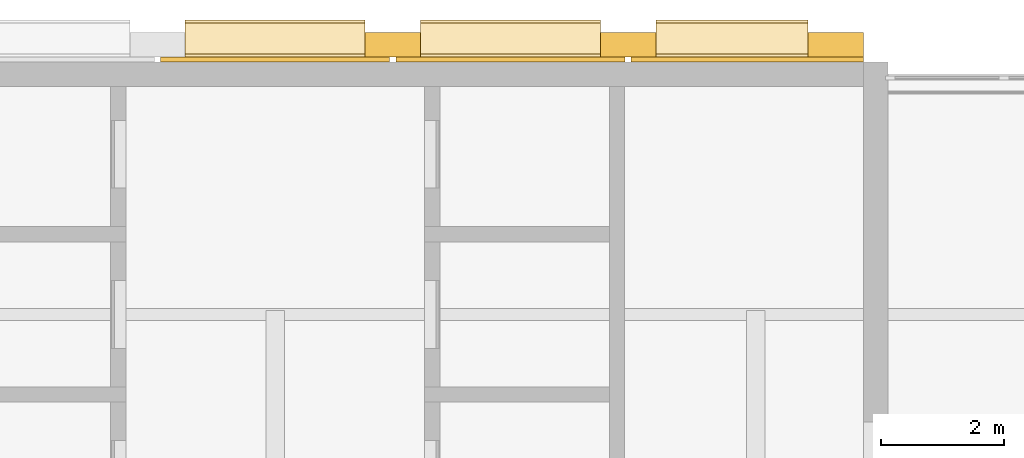
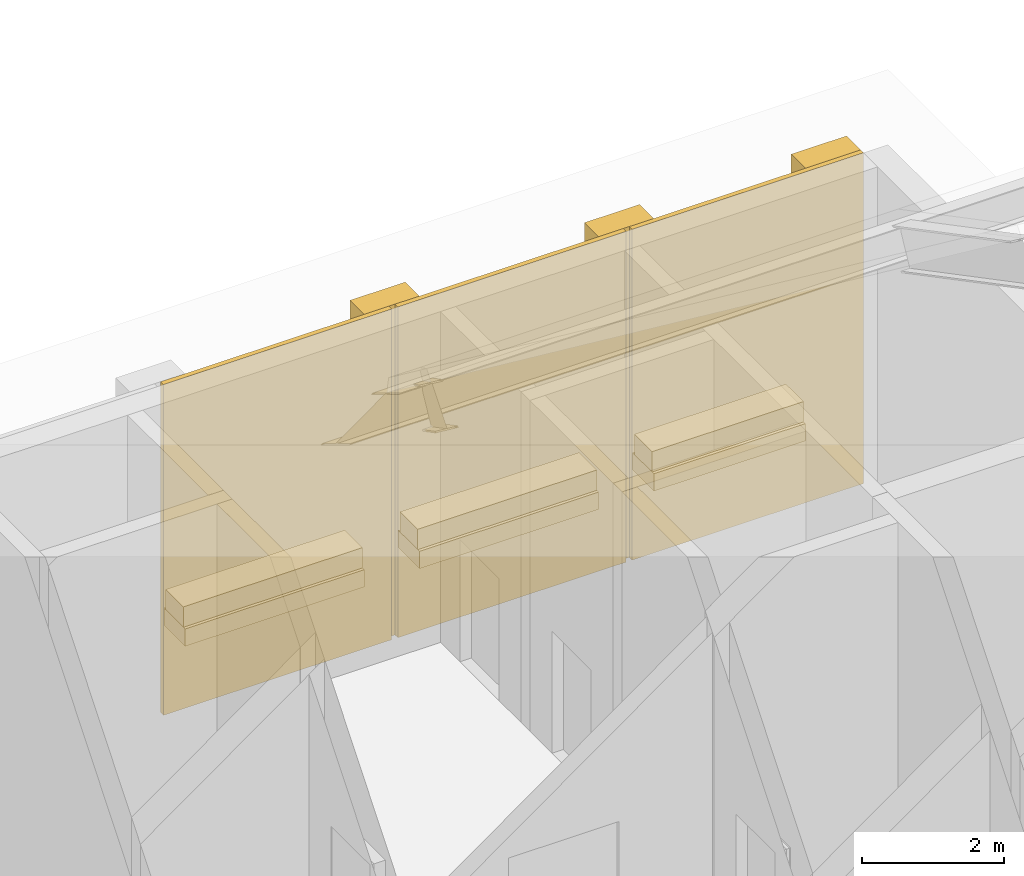
# One storey, part 19 of 19: 12 coverings.
"""IFC4 building model written with IfcOpenShell, lengths in metres."""

from ifc_helpers import new_model, si_unit, direction, frame, origin, origin_2d, place, context, subcontext, project, spatial, rectangle, extrude, material, layer, layer_set, type_object, element, save


model = new_model("IFC4")

# Units and contexts
model_context = context("Model", 3, precision=1e-05, world=origin(), true_north=direction((0.0, 1.0)))
body_context = subcontext(model_context, "Body", "Model", "MODEL_VIEW")
ifc_project = project(units=[si_unit("LENGTHUNIT", "METRE"), si_unit("AREAUNIT", "SQUARE_METRE"), si_unit("VOLUMEUNIT", "CUBIC_METRE"), si_unit("PLANEANGLEUNIT", "RADIAN"), si_unit("MASSUNIT", "GRAM", prefix="KILO")], contexts=[model_context])

# Site, building, storey
site_placement = place(None, origin())
site = spatial("IfcSite", under=ifc_project, at=site_placement, CompositionType="ELEMENT")
building_placement = place(site_placement, origin())
building = spatial("IfcBuilding", under=site, at=building_placement, Name="Ludao Terraces", CompositionType="ELEMENT")
storey_placement = place(building_placement, frame((0.0, 0.0, 266.39990234375)))
storey = spatial("IfcBuildingStorey", under=building, at=storey_placement, Name="L73", CompositionType="ELEMENT", Elevation=266.39990234375)

# Coverings
ifc_material_1 = material(Name="Granite cladding", Category="masonry")
ifc_layer_1 = layer(ifc_material_1, 0.39990234375)
ifc_layer_set_1 = layer_set([ifc_layer_1], Name="ENV Core pilaster stone 400")
covering_type_1 = type_object("IfcCoveringType", Name="ENV Core pilaster stone 400", PredefinedType="CLADDING", material=ifc_layer_set_1)
for number, where, z_axis, x_axis, name in (
    (1, (86.909912109375, 84.97998046875, 0.0), (0.0, 0.0, 1.0), (1.0, 0.0, 0.0), "CC-L73-PIL4"),
    (2, (90.72998046875, 84.97998046875, 0.0), (0.0, 0.0, 1.0), (1.0, 0.0, 0.0), "CC-L73-PIL5"),
    (3, (94.10009765625, 84.97998046875, 0.0), (0.0, 0.0, 1.0), (1.0, 0.0, 0.0), "CC-L73-PIL6"),
):
    element("IfcCovering", number, at=place(storey_placement, frame(where, z_axis=z_axis, x_axis=x_axis)), inside=storey, type_object=covering_type_1, Name=name, PredefinedType="CLADDING", context=body_context, shape_type="SweptSolid", body=[
        extrude(rectangle(XDim=0.89990234375, YDim=0.39990234375, at=origin_2d()), origin(), (0.0, 0.0, 1.0), 5.699951171875),
    ])
ifc_layer_2 = layer(ifc_material_1, 0.60009765625)
ifc_layer_set_2 = layer_set([ifc_layer_2], Name="ENV Core planting shelf stone 600")
covering_type_2 = type_object("IfcCoveringType", Name="ENV Core planting shelf stone 600", PredefinedType="CLADDING", material=ifc_layer_set_2)
for number, where, z_axis, x_axis, name in (
    (4, (85.0, 85.080078125, 1.0), (0.0, 0.0, 1.0), (1.0, 0.0, 0.0), "CC-L73-SHELF3"),
    (5, (88.820068359375, 85.080078125, 1.0), (0.0, 0.0, 1.0), (1.0, 0.0, 0.0), "CC-L73-SHELF4"),
):
    element("IfcCovering", number, at=place(storey_placement, frame(where, z_axis=z_axis, x_axis=x_axis)), inside=storey, type_object=covering_type_2, Name=name, PredefinedType="CLADDING", context=body_context, shape_type="SweptSolid", body=[
        extrude(rectangle(XDim=2.919921875, YDim=0.60009765625, at=origin_2d()), origin(), (0.0, 0.0, 1.0), 0.300048828125),
    ])
covering_1_placement = place(storey_placement, frame((92.4150390625, 85.080078125, 1.0), z_axis=(0.0, 0.0, 1.0), x_axis=(1.0, 0.0, 0.0)))
element("IfcCovering", 6, at=covering_1_placement, inside=storey, type_object=covering_type_2, Name="CC-L73-SHELF5", PredefinedType="CLADDING", context=body_context, shape_type="SweptSolid", body=[
    extrude(rectangle(XDim=2.469970703125, YDim=0.60009765625, at=origin_2d()), origin(), (0.0, 0.0, 1.0), 0.300048828125),
])
ifc_layer_3 = layer(ifc_material_1, 0.080078125)
ifc_layer_set_3 = layer_set([ifc_layer_3], Name="ENV Core stone cladding panel 80")
covering_type_3 = type_object("IfcCoveringType", Name="ENV Core stone cladding panel 80", PredefinedType="CLADDING", material=ifc_layer_set_3)
for number, where, z_axis, x_axis, name in (
    (7, (85.0, 84.739990234375, 0.0), (0.0, 0.0, 1.0), (1.0, 0.0, 0.0), "CC-L73-CORE3"),
    (8, (88.820068359375, 84.739990234375, 0.0), (0.0, 0.0, 1.0), (1.0, 0.0, 0.0), "CC-L73-CORE4"),
):
    element("IfcCovering", number, at=place(storey_placement, frame(where, z_axis=z_axis, x_axis=x_axis)), inside=storey, type_object=covering_type_3, Name=name, PredefinedType="CLADDING", context=body_context, shape_type="SweptSolid", body=[
        extrude(rectangle(XDim=3.719970703125, YDim=0.080078125, at=origin_2d()), origin(), (0.0, 0.0, 1.0), 5.699951171875),
    ])
covering_2_placement = place(storey_placement, frame((92.6650390625, 84.739990234375, 0.0), z_axis=(0.0, 0.0, 1.0), x_axis=(1.0, 0.0, 0.0)))
element("IfcCovering", 9, at=covering_2_placement, inside=storey, type_object=covering_type_3, Name="CC-L73-CORE5", PredefinedType="CLADDING", context=body_context, shape_type="SweptSolid", body=[
    extrude(rectangle(XDim=3.77001953125, YDim=0.080078125, at=origin_2d()), origin(), (0.0, 0.0, 1.0), 5.699951171875),
])
ifc_material_2 = material(Name="Planting")
ifc_layer_4 = layer(ifc_material_2, 0.5)
ifc_layer_set_4 = layer_set([ifc_layer_4], Name="ENV Shelf planting bed 350")
covering_type_4 = type_object("IfcCoveringType", Name="ENV Shelf planting bed 350", PredefinedType="USERDEFINED", material=ifc_layer_set_4)
for number, where, z_axis, x_axis, name in (
    (10, (85.0, 85.080078125, 1.300048828125), (0.0, 0.0, 1.0), (1.0, 0.0, 0.0), "Shelf planting bed L73 3"),
    (11, (88.820068359375, 85.080078125, 1.300048828125), (0.0, 0.0, 1.0), (1.0, 0.0, 0.0), "Shelf planting bed L73 4"),
):
    element("IfcCovering", number, at=place(storey_placement, frame(where, z_axis=z_axis, x_axis=x_axis)), inside=storey, type_object=covering_type_4, Name=name, ObjectType="PLANTING", PredefinedType="USERDEFINED", context=body_context, shape_type="SweptSolid", body=[
        extrude(rectangle(XDim=2.919921875, YDim=0.5, at=origin_2d()), origin(), (0.0, 0.0, 1.0), 0.35009765625),
    ])
covering_3_placement = place(storey_placement, frame((92.4150390625, 85.080078125, 1.300048828125), z_axis=(0.0, 0.0, 1.0), x_axis=(1.0, 0.0, 0.0)))
element("IfcCovering", 12, at=covering_3_placement, inside=storey, type_object=covering_type_4, Name="Shelf planting bed L73 5", ObjectType="PLANTING", PredefinedType="USERDEFINED", context=body_context, shape_type="SweptSolid", body=[
    extrude(rectangle(XDim=2.469970703125, YDim=0.5, at=origin_2d()), origin(), (0.0, 0.0, 1.0), 0.35009765625),
])

save(model, "model.ifc")
